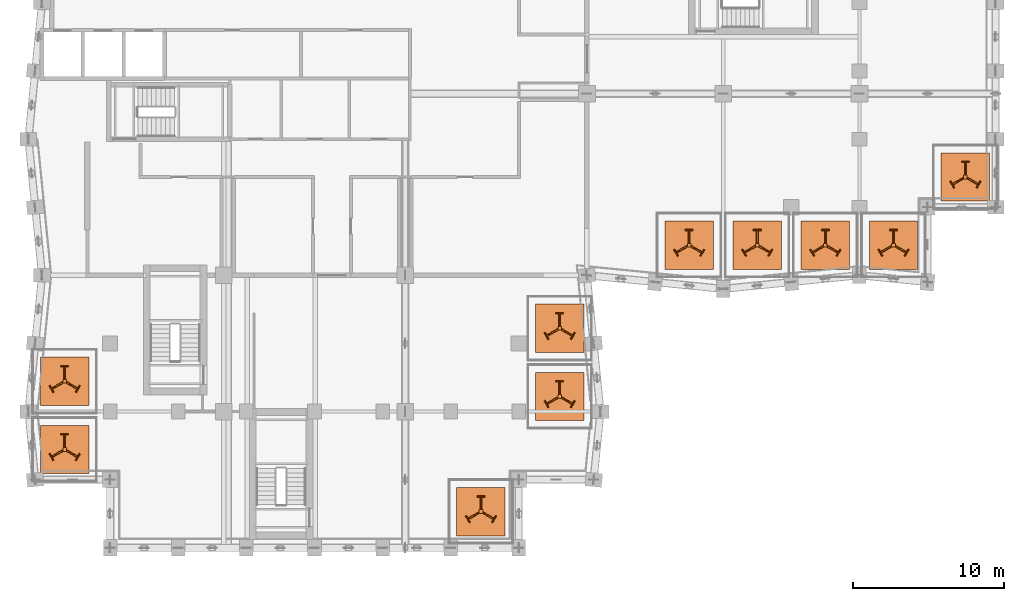
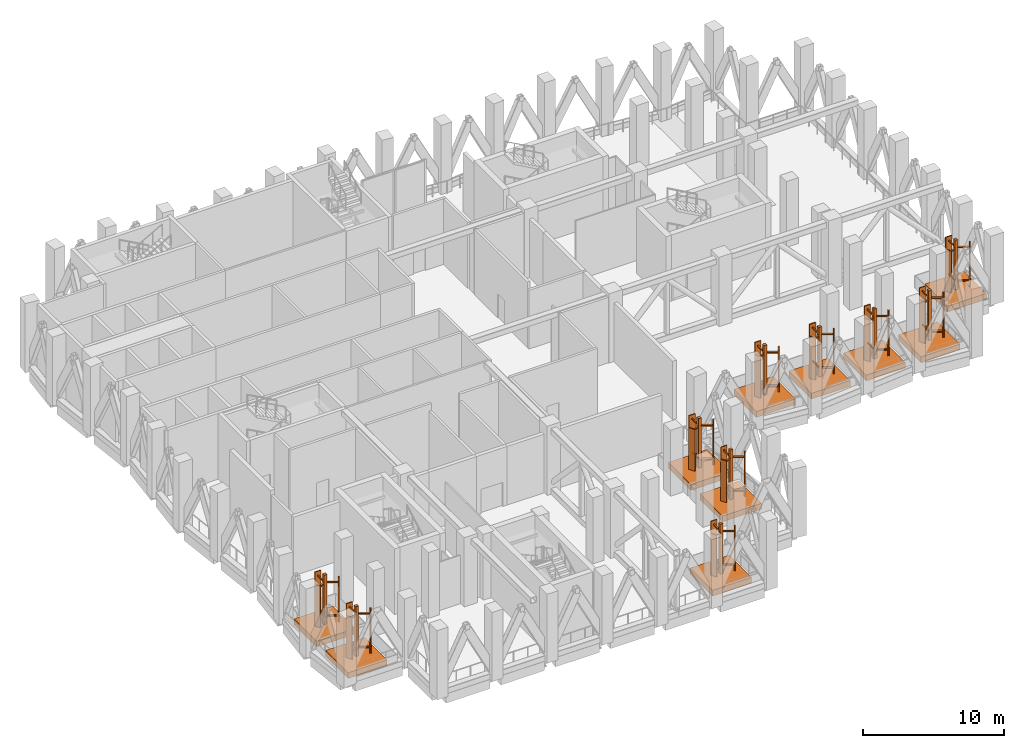
# One storey, part 28 of 28: 110 proxies.
"""IFC4 building model written with IfcOpenShell, lengths in metres."""

from ifc_helpers import new_model, si_unit, direction, frame, origin, origin_2d, place, context, subcontext, project, spatial, rectangle, extrude, material, type_object, element, save


model = new_model("IFC4")

# Units and contexts
model_context = context("Model", 3, precision=1e-05, world=origin(), true_north=direction((0.0, 1.0)))
body_context = subcontext(model_context, "Body", "Model", "MODEL_VIEW")
ifc_project = project(units=[si_unit("LENGTHUNIT", "METRE"), si_unit("AREAUNIT", "SQUARE_METRE"), si_unit("VOLUMEUNIT", "CUBIC_METRE"), si_unit("PLANEANGLEUNIT", "RADIAN"), si_unit("MASSUNIT", "GRAM", prefix="KILO")], contexts=[model_context])

# Site, building, storey
site_placement = place(None, origin())
site = spatial("IfcSite", under=ifc_project, at=site_placement, CompositionType="ELEMENT")
building_placement = place(site_placement, origin())
building = spatial("IfcBuilding", under=site, at=building_placement, Name="Brondeck Convention Tower", CompositionType="ELEMENT")
storey_placement = place(building_placement, frame((0.0, 0.0, 192.800048828125)))
storey = spatial("IfcBuildingStorey", under=building, at=storey_placement, Name="L47", CompositionType="ELEMENT", Elevation=192.800048828125)

# Proxies
ifc_material_1 = material(Name="White enamel paint finish")
building_element_proxy_type_1 = type_object("IfcBuildingElementProxyType", Name="TURBINE BLADE 500x80x3600", PredefinedType="USERDEFINED", material=ifc_material_1)
for number, where, z_axis, x_axis, name in (
    (1, (42.75, 30.0, 0.849853515625), (0.0, 0.0, 1.0), (-1.0, 0.0, 0.0), "Turbine blade"),
    (2, (41.884033203125, 28.5, 0.849853515625), (0.0, 0.0, 1.0), (0.5, -0.866025403784, 0.0), "Turbine blade"),
    (3, (43.615966796875, 28.5, 0.849853515625), (0.0, 0.0, 1.0), (0.5, 0.866025403784, 0.0), "Turbine blade"),
    (4, (47.25, 30.0, 0.849853515625), (0.0, 0.0, 1.0), (-1.0, 0.0, 0.0), "Turbine blade"),
    (5, (46.384033203125, 28.5, 0.849853515625), (0.0, 0.0, 1.0), (0.5, -0.866025403784, 0.0), "Turbine blade"),
    (6, (48.115966796875, 28.5, 0.849853515625), (0.0, 0.0, 1.0), (0.5, 0.866025403784, 0.0), "Turbine blade"),
    (7, (51.75, 30.0, 0.849853515625), (0.0, 0.0, 1.0), (-1.0, 0.0, 0.0), "Turbine blade"),
    (8, (50.884033203125, 28.5, 0.849853515625), (0.0, 0.0, 1.0), (0.5, -0.866025403784, 0.0), "Turbine blade"),
    (9, (52.615966796875, 28.5, 0.849853515625), (0.0, 0.0, 1.0), (0.5, 0.866025403784, 0.0), "Turbine blade"),
    (10, (56.25, 30.0, 0.849853515625), (0.0, 0.0, 1.0), (-1.0, 0.0, 0.0), "Turbine blade"),
    (11, (55.384033203125, 28.5, 0.849853515625), (0.0, 0.0, 1.0), (0.5, -0.866025403784, 0.0), "Turbine blade"),
    (12, (57.115966796875, 28.5, 0.849853515625), (0.0, 0.0, 1.0), (0.5, 0.866025403784, 0.0), "Turbine blade"),
    (13, (61.0, 34.5, 0.849853515625), (0.0, 0.0, 1.0), (-1.0, 0.0, 0.0), "Turbine blade"),
    (14, (60.134033203125, 33.0, 0.849853515625), (0.0, 0.0, 1.0), (0.5, -0.866025403784, 0.0), "Turbine blade"),
    (15, (61.865966796875, 33.0, 0.849853515625), (0.0, 0.0, 1.0), (0.5, 0.866025403784, 0.0), "Turbine blade"),
    (16, (34.199951171875, 20.0, 0.849853515625), (0.0, 0.0, 1.0), (-1.0, 0.0, 0.0), "Turbine blade"),
    (17, (33.333984375, 18.5, 0.849853515625), (0.0, 0.0, 1.0), (0.5, -0.866025403784, 0.0), "Turbine blade"),
    (18, (35.06591796875, 18.5, 0.849853515625), (0.0, 0.0, 1.0), (0.5, 0.866025403784, 0.0), "Turbine blade"),
    (19, (34.199951171875, 24.5, 0.849853515625), (0.0, 0.0, 1.0), (-1.0, 0.0, 0.0), "Turbine blade"),
    (20, (33.333984375, 23.0, 0.849853515625), (0.0, 0.0, 1.0), (0.5, -0.866025403784, 0.0), "Turbine blade"),
    (21, (35.06591796875, 23.0, 0.849853515625), (0.0, 0.0, 1.0), (0.5, 0.866025403784, 0.0), "Turbine blade"),
    (22, (29.0, 12.39990234375, 0.849853515625), (0.0, 0.0, 1.0), (-1.0, 0.0, 0.0), "Turbine blade"),
    (23, (28.134033203125, 10.89990234375, 0.849853515625), (0.0, 0.0, 1.0), (0.5, -0.866025403784, 0.0), "Turbine blade"),
    (24, (29.865966796875, 10.89990234375, 0.849853515625), (0.0, 0.0, 1.0), (0.5, 0.866025403784, 0.0), "Turbine blade"),
    (25, (1.5, 16.5, 0.849853515625), (0.0, 0.0, 1.0), (-1.0, 0.0, 0.0), "Turbine blade"),
    (26, (0.634033203125, 15.0, 0.849853515625), (0.0, 0.0, 1.0), (0.5, -0.866025403784, 0.0), "Turbine blade"),
    (27, (2.365966796875, 15.0, 0.849853515625), (0.0, 0.0, 1.0), (0.5, 0.866025403784, 0.0), "Turbine blade"),
    (28, (1.5, 21.0, 0.849853515625), (0.0, 0.0, 1.0), (-1.0, 0.0, 0.0), "Turbine blade"),
    (29, (0.634033203125, 19.5, 0.849853515625), (0.0, 0.0, 1.0), (0.5, -0.866025403784, 0.0), "Turbine blade"),
    (30, (2.365966796875, 19.5, 0.849853515625), (0.0, 0.0, 1.0), (0.5, 0.866025403784, 0.0), "Turbine blade"),
):
    element("IfcBuildingElementProxy", number, at=place(storey_placement, frame(where, z_axis=z_axis, x_axis=x_axis)), inside=storey, type_object=building_element_proxy_type_1, Name=name, ObjectType="Turbine blade", PredefinedType="USERDEFINED", context=body_context, shape_type="SweptSolid", body=[
        extrude(rectangle(XDim=0.5, YDim=0.080078125, at=origin_2d()), origin(), (0.0, 0.0, 1.0), 3.60009765625),
    ])
ifc_material_2 = material(Name="Concrete C30/37", Category="concrete")
building_element_proxy_type_2 = type_object("IfcBuildingElementProxyType", Name="TURBINE PLINTH 3200x3200x500", PredefinedType="USERDEFINED", material=ifc_material_2)
for number, where, z_axis, x_axis, name in (
    (31, (42.75, 29.0, 0.0), (0.0, 0.0, 1.0), (1.0, 0.0, 0.0), "Turbine plinth"),
    (32, (47.25, 29.0, 0.0), (0.0, 0.0, 1.0), (1.0, 0.0, 0.0), "Turbine plinth"),
    (33, (51.75, 29.0, 0.0), (0.0, 0.0, 1.0), (1.0, 0.0, 0.0), "Turbine plinth"),
    (34, (56.25, 29.0, 0.0), (0.0, 0.0, 1.0), (1.0, 0.0, 0.0), "Turbine plinth"),
    (35, (61.0, 33.5, 0.0), (0.0, 0.0, 1.0), (1.0, 0.0, 0.0), "Turbine plinth"),
    (36, (34.199951171875, 19.0, 0.0), (0.0, 0.0, 1.0), (1.0, 0.0, 0.0), "Turbine plinth"),
    (37, (34.199951171875, 23.5, 0.0), (0.0, 0.0, 1.0), (1.0, 0.0, 0.0), "Turbine plinth"),
    (38, (29.0, 11.39990234375, 0.0), (0.0, 0.0, 1.0), (1.0, 0.0, 0.0), "Turbine plinth"),
    (39, (1.5, 15.5, 0.0), (0.0, 0.0, 1.0), (1.0, 0.0, 0.0), "Turbine plinth"),
    (40, (1.5, 20.0, 0.0), (0.0, 0.0, 1.0), (1.0, 0.0, 0.0), "Turbine plinth"),
):
    element("IfcBuildingElementProxy", number, at=place(storey_placement, frame(where, z_axis=z_axis, x_axis=x_axis)), inside=storey, type_object=building_element_proxy_type_2, Name=name, ObjectType="Turbine plinth", PredefinedType="USERDEFINED", context=body_context, shape_type="SweptSolid", body=[
        extrude(rectangle(XDim=3.199951171875, YDim=3.199951171875, at=origin_2d()), origin(), (0.0, 0.0, 1.0), 0.5),
    ])
ifc_material_3 = material(Name="Bronze anodised shaft")
building_element_proxy_type_3 = type_object("IfcBuildingElementProxyType", Name="TURBINE SHAFT 240x4300", PredefinedType="USERDEFINED", material=ifc_material_3)
for number, where, z_axis, x_axis, name in (
    (41, (42.75, 29.0, 0.5), (0.0, 0.0, 1.0), (1.0, 0.0, 0.0), "Turbine shaft"),
    (42, (47.25, 29.0, 0.5), (0.0, 0.0, 1.0), (1.0, 0.0, 0.0), "Turbine shaft"),
    (43, (51.75, 29.0, 0.5), (0.0, 0.0, 1.0), (1.0, 0.0, 0.0), "Turbine shaft"),
    (44, (56.25, 29.0, 0.5), (0.0, 0.0, 1.0), (1.0, 0.0, 0.0), "Turbine shaft"),
    (45, (61.0, 33.5, 0.5), (0.0, 0.0, 1.0), (1.0, 0.0, 0.0), "Turbine shaft"),
    (46, (34.199951171875, 19.0, 0.5), (0.0, 0.0, 1.0), (1.0, 0.0, 0.0), "Turbine shaft"),
    (47, (34.199951171875, 23.5, 0.5), (0.0, 0.0, 1.0), (1.0, 0.0, 0.0), "Turbine shaft"),
    (48, (29.0, 11.39990234375, 0.5), (0.0, 0.0, 1.0), (1.0, 0.0, 0.0), "Turbine shaft"),
    (49, (1.5, 15.5, 0.5), (0.0, 0.0, 1.0), (1.0, 0.0, 0.0), "Turbine shaft"),
    (50, (1.5, 20.0, 0.5), (0.0, 0.0, 1.0), (1.0, 0.0, 0.0), "Turbine shaft"),
):
    element("IfcBuildingElementProxy", number, at=place(storey_placement, frame(where, z_axis=z_axis, x_axis=x_axis)), inside=storey, type_object=building_element_proxy_type_3, Name=name, ObjectType="Turbine shaft", PredefinedType="USERDEFINED", context=body_context, shape_type="SweptSolid", body=[
        extrude(rectangle(XDim=0.239990234375, YDim=0.239990234375, at=origin_2d()), origin(), (0.0, 0.0, 1.0), 4.300048828125),
    ])
building_element_proxy_type_4 = type_object("IfcBuildingElementProxyType", Name="TURBINE SPOKE 840x100x100", PredefinedType="USERDEFINED", material=ifc_material_3)
for number, where, z_axis, x_axis, name in (
    (51, (42.75, 29.5400390625, 1.14990234375), (0.0, 0.0, 1.0), (0.0, 1.0, 0.0), "Turbine spoke"),
    (52, (42.75, 29.5400390625, 4.0498046875), (0.0, 0.0, 1.0), (0.0, 1.0, 0.0), "Turbine spoke"),
    (53, (42.2822265625, 28.72998046875, 1.14990234375), (0.0, 0.0, 1.0), (-0.866025403784, -0.5, 0.0), "Turbine spoke"),
    (54, (42.2822265625, 28.72998046875, 4.0498046875), (0.0, 0.0, 1.0), (-0.866025403784, -0.5, 0.0), "Turbine spoke"),
    (55, (43.2177734375, 28.72998046875, 1.14990234375), (0.0, 0.0, 1.0), (0.866025403784, -0.5, 0.0), "Turbine spoke"),
    (56, (43.2177734375, 28.72998046875, 4.0498046875), (0.0, 0.0, 1.0), (0.866025403784, -0.5, 0.0), "Turbine spoke"),
    (57, (47.25, 29.5400390625, 1.14990234375), (0.0, 0.0, 1.0), (0.0, 1.0, 0.0), "Turbine spoke"),
    (58, (47.25, 29.5400390625, 4.0498046875), (0.0, 0.0, 1.0), (0.0, 1.0, 0.0), "Turbine spoke"),
    (59, (46.7822265625, 28.72998046875, 1.14990234375), (0.0, 0.0, 1.0), (-0.866025403784, -0.5, 0.0), "Turbine spoke"),
    (60, (46.7822265625, 28.72998046875, 4.0498046875), (0.0, 0.0, 1.0), (-0.866025403784, -0.5, 0.0), "Turbine spoke"),
    (61, (47.7177734375, 28.72998046875, 1.14990234375), (0.0, 0.0, 1.0), (0.866025403784, -0.5, 0.0), "Turbine spoke"),
    (62, (47.7177734375, 28.72998046875, 4.0498046875), (0.0, 0.0, 1.0), (0.866025403784, -0.5, 0.0), "Turbine spoke"),
    (63, (51.75, 29.5400390625, 1.14990234375), (0.0, 0.0, 1.0), (0.0, 1.0, 0.0), "Turbine spoke"),
    (64, (51.75, 29.5400390625, 4.0498046875), (0.0, 0.0, 1.0), (0.0, 1.0, 0.0), "Turbine spoke"),
    (65, (51.2822265625, 28.72998046875, 1.14990234375), (0.0, 0.0, 1.0), (-0.866025403784, -0.5, 0.0), "Turbine spoke"),
    (66, (51.2822265625, 28.72998046875, 4.0498046875), (0.0, 0.0, 1.0), (-0.866025403784, -0.5, 0.0), "Turbine spoke"),
    (67, (52.2177734375, 28.72998046875, 1.14990234375), (0.0, 0.0, 1.0), (0.866025403784, -0.5, 0.0), "Turbine spoke"),
    (68, (52.2177734375, 28.72998046875, 4.0498046875), (0.0, 0.0, 1.0), (0.866025403784, -0.5, 0.0), "Turbine spoke"),
    (69, (56.25, 29.5400390625, 1.14990234375), (0.0, 0.0, 1.0), (0.0, 1.0, 0.0), "Turbine spoke"),
    (70, (56.25, 29.5400390625, 4.0498046875), (0.0, 0.0, 1.0), (0.0, 1.0, 0.0), "Turbine spoke"),
    (71, (55.7822265625, 28.72998046875, 1.14990234375), (0.0, 0.0, 1.0), (-0.866025403784, -0.5, 0.0), "Turbine spoke"),
    (72, (55.7822265625, 28.72998046875, 4.0498046875), (0.0, 0.0, 1.0), (-0.866025403784, -0.5, 0.0), "Turbine spoke"),
    (73, (56.7177734375, 28.72998046875, 1.14990234375), (0.0, 0.0, 1.0), (0.866025403784, -0.5, 0.0), "Turbine spoke"),
    (74, (56.7177734375, 28.72998046875, 4.0498046875), (0.0, 0.0, 1.0), (0.866025403784, -0.5, 0.0), "Turbine spoke"),
    (75, (61.0, 34.0400390625, 1.14990234375), (0.0, 0.0, 1.0), (0.0, 1.0, 0.0), "Turbine spoke"),
    (76, (61.0, 34.0400390625, 4.0498046875), (0.0, 0.0, 1.0), (0.0, 1.0, 0.0), "Turbine spoke"),
    (77, (60.5322265625, 33.22998046875, 1.14990234375), (0.0, 0.0, 1.0), (-0.866025403784, -0.5, 0.0), "Turbine spoke"),
    (78, (60.5322265625, 33.22998046875, 4.0498046875), (0.0, 0.0, 1.0), (-0.866025403784, -0.5, 0.0), "Turbine spoke"),
    (79, (61.4677734375, 33.22998046875, 1.14990234375), (0.0, 0.0, 1.0), (0.866025403784, -0.5, 0.0), "Turbine spoke"),
    (80, (61.4677734375, 33.22998046875, 4.0498046875), (0.0, 0.0, 1.0), (0.866025403784, -0.5, 0.0), "Turbine spoke"),
    (81, (34.199951171875, 19.5400390625, 1.14990234375), (0.0, 0.0, 1.0), (0.0, 1.0, 0.0), "Turbine spoke"),
    (82, (34.199951171875, 19.5400390625, 4.0498046875), (0.0, 0.0, 1.0), (0.0, 1.0, 0.0), "Turbine spoke"),
    (83, (33.732421875, 18.72998046875, 1.14990234375), (0.0, 0.0, 1.0), (-0.866025403784, -0.5, 0.0), "Turbine spoke"),
    (84, (33.732421875, 18.72998046875, 4.0498046875), (0.0, 0.0, 1.0), (-0.866025403784, -0.5, 0.0), "Turbine spoke"),
    (85, (34.667724609375, 18.72998046875, 1.14990234375), (0.0, 0.0, 1.0), (0.866025403784, -0.5, 0.0), "Turbine spoke"),
    (86, (34.667724609375, 18.72998046875, 4.0498046875), (0.0, 0.0, 1.0), (0.866025403784, -0.5, 0.0), "Turbine spoke"),
    (87, (34.199951171875, 24.0400390625, 1.14990234375), (0.0, 0.0, 1.0), (0.0, 1.0, 0.0), "Turbine spoke"),
    (88, (34.199951171875, 24.0400390625, 4.0498046875), (0.0, 0.0, 1.0), (0.0, 1.0, 0.0), "Turbine spoke"),
    (89, (33.732421875, 23.22998046875, 1.14990234375), (0.0, 0.0, 1.0), (-0.866025403784, -0.5, 0.0), "Turbine spoke"),
    (90, (33.732421875, 23.22998046875, 4.0498046875), (0.0, 0.0, 1.0), (-0.866025403784, -0.5, 0.0), "Turbine spoke"),
    (91, (34.667724609375, 23.22998046875, 1.14990234375), (0.0, 0.0, 1.0), (0.866025403784, -0.5, 0.0), "Turbine spoke"),
    (92, (34.667724609375, 23.22998046875, 4.0498046875), (0.0, 0.0, 1.0), (0.866025403784, -0.5, 0.0), "Turbine spoke"),
    (93, (29.0, 11.93994140625, 1.14990234375), (0.0, 0.0, 1.0), (0.0, 1.0, 0.0), "Turbine spoke"),
    (94, (29.0, 11.93994140625, 4.0498046875), (0.0, 0.0, 1.0), (0.0, 1.0, 0.0), "Turbine spoke"),
    (95, (28.5322265625, 11.1298828125, 1.14990234375), (0.0, 0.0, 1.0), (-0.866025403784, -0.5, 0.0), "Turbine spoke"),
    (96, (28.5322265625, 11.1298828125, 4.0498046875), (0.0, 0.0, 1.0), (-0.866025403784, -0.5, 0.0), "Turbine spoke"),
    (97, (29.4677734375, 11.1298828125, 1.14990234375), (0.0, 0.0, 1.0), (0.866025403784, -0.5, 0.0), "Turbine spoke"),
    (98, (29.4677734375, 11.1298828125, 4.0498046875), (0.0, 0.0, 1.0), (0.866025403784, -0.5, 0.0), "Turbine spoke"),
    (99, (1.5, 16.0400390625, 1.14990234375), (0.0, 0.0, 1.0), (0.0, 1.0, 0.0), "Turbine spoke"),
    (100, (1.5, 16.0400390625, 4.0498046875), (0.0, 0.0, 1.0), (0.0, 1.0, 0.0), "Turbine spoke"),
    (101, (1.0322265625, 15.22998046875, 1.14990234375), (0.0, 0.0, 1.0), (-0.866025403784, -0.5, 0.0), "Turbine spoke"),
    (102, (1.0322265625, 15.22998046875, 4.0498046875), (0.0, 0.0, 1.0), (-0.866025403784, -0.5, 0.0), "Turbine spoke"),
    (103, (1.9677734375, 15.22998046875, 1.14990234375), (0.0, 0.0, 1.0), (0.866025403784, -0.5, 0.0), "Turbine spoke"),
    (104, (1.9677734375, 15.22998046875, 4.0498046875), (0.0, 0.0, 1.0), (0.866025403784, -0.5, 0.0), "Turbine spoke"),
    (105, (1.5, 20.5400390625, 1.14990234375), (0.0, 0.0, 1.0), (0.0, 1.0, 0.0), "Turbine spoke"),
    (106, (1.5, 20.5400390625, 4.0498046875), (0.0, 0.0, 1.0), (0.0, 1.0, 0.0), "Turbine spoke"),
    (107, (1.0322265625, 19.72998046875, 1.14990234375), (0.0, 0.0, 1.0), (-0.866025403784, -0.5, 0.0), "Turbine spoke"),
    (108, (1.0322265625, 19.72998046875, 4.0498046875), (0.0, 0.0, 1.0), (-0.866025403784, -0.5, 0.0), "Turbine spoke"),
    (109, (1.9677734375, 19.72998046875, 1.14990234375), (0.0, 0.0, 1.0), (0.866025403784, -0.5, 0.0), "Turbine spoke"),
    (110, (1.9677734375, 19.72998046875, 4.0498046875), (0.0, 0.0, 1.0), (0.866025403784, -0.5, 0.0), "Turbine spoke"),
):
    element("IfcBuildingElementProxy", number, at=place(storey_placement, frame(where, z_axis=z_axis, x_axis=x_axis)), inside=storey, type_object=building_element_proxy_type_4, Name=name, ObjectType="Turbine spoke", PredefinedType="USERDEFINED", context=body_context, shape_type="SweptSolid", body=[
        extrude(rectangle(XDim=0.840087890625, YDim=0.10009765625, at=origin_2d()), origin(), (0.0, 0.0, 1.0), 0.10009765625),
    ])

save(model, "model.ifc")
